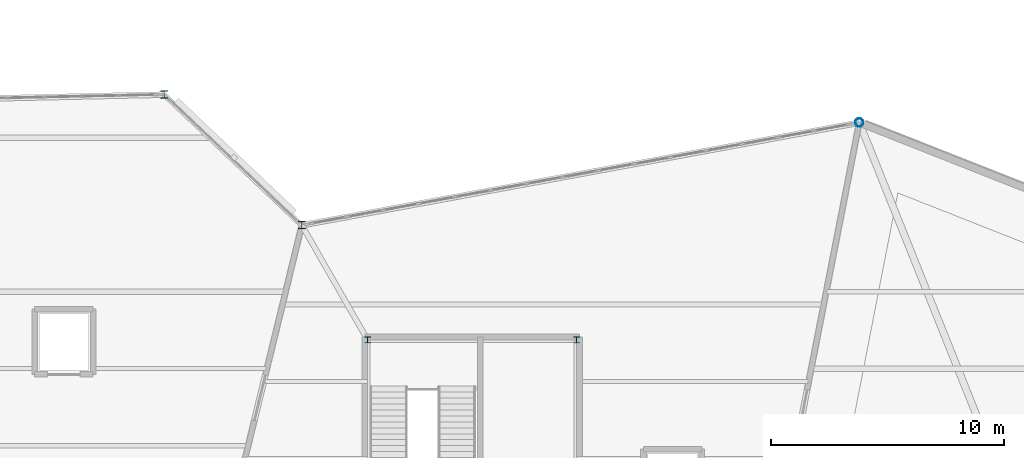
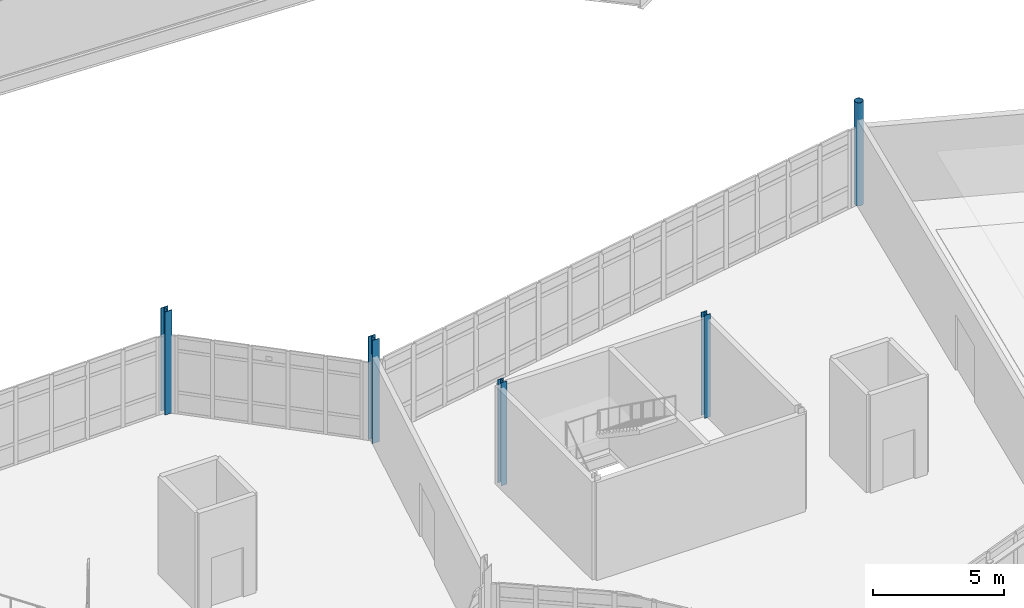
# One storey, part 8 of 114: 5 columns.
"""IFC4 building model written with IfcOpenShell, lengths in metres."""

from ifc_helpers import new_model, si_unit, direction, frame, origin, origin_2d, place, context, subcontext, project, spatial, hollow_circle, i_section, extrude, material, material_profile, profile_set, type_object, element, save


model = new_model("IFC4")

# Units and contexts
model_context = context("Model", 3, precision=1e-05, world=origin(), true_north=direction((0.0, 1.0)))
body_context = subcontext(model_context, "Body", "Model", "MODEL_VIEW")
ifc_project = project(units=[si_unit("LENGTHUNIT", "METRE"), si_unit("AREAUNIT", "SQUARE_METRE"), si_unit("VOLUMEUNIT", "CUBIC_METRE"), si_unit("PLANEANGLEUNIT", "RADIAN"), si_unit("MASSUNIT", "GRAM", prefix="KILO")], contexts=[model_context])

# Site, building, storey
site_placement = place(None, origin())
site = spatial("IfcSite", under=ifc_project, at=site_placement, CompositionType="ELEMENT")
building_placement = place(site_placement, origin())
building = spatial("IfcBuilding", under=site, at=building_placement, Name="Tameran Prism Museum", CompositionType="ELEMENT")
storey_placement = place(building_placement, frame((0.0, 0.0, 10.199951171875)))
storey = spatial("IfcBuildingStorey", under=building, at=storey_placement, Name="L02", CompositionType="ELEMENT", Elevation=10.199951171875)

# Columns
ifc_material_1 = material(Name="Steel Grade C350L0 (350 MPa)", Category="steel")
ifc_material_profile_1 = material_profile(ifc_material_1, hollow_circle(Radius=0.177734375, WallThickness=0.0126953125, at=origin_2d()))
ifc_profile_set_1 = profile_set([ifc_material_profile_1])
column_type_1 = type_object("IfcColumnType", Name="COL-CHS355", PredefinedType="COLUMN", material=ifc_profile_set_1)
column_placement = place(storey_placement, frame((125.60009765625, 47.39990234375, 0.0), z_axis=(0.0, 0.0, 1.0), x_axis=(1.0, 0.0, 0.0)))
element("IfcColumn", 1, at=column_placement, inside=storey, type_object=column_type_1, Name="Column CV-50 L02", PredefinedType="COLUMN", context=body_context, shape_type="SweptSolid", body=[
    extrude(hollow_circle(Radius=0.177734375, WallThickness=0.0126953125, at=origin_2d()), origin(), (0.0, 0.0, 1.0), 4.800048828125),
])
ifc_material_2 = material(Name="Steel Grade 300PLUS (300 MPa)", Category="steel")
ifc_material_profile_2 = material_profile(ifc_material_2, i_section(OverallWidth=0.25390625, OverallDepth=0.25390625, WebThickness=0.008544921875, FlangeThickness=0.01416015625, FilletRadius=0.0126953125, at=origin_2d()))
ifc_profile_set_2 = profile_set([ifc_material_profile_2])
column_type_2 = type_object("IfcColumnType", Name="COL-UC250B", PredefinedType="COLUMN", material=ifc_profile_set_2)
for number, where, z_axis, x_axis, name in (
    (2, (113.47998046875, 38.080078125, 0.0), (0.0, 0.0, 1.0), (1.0, 0.0, 0.0), "Column CC-4-3 L02"),
    (3, (104.52001953125, 38.080078125, 0.0), (0.0, 0.0, 1.0), (1.0, 0.0, 0.0), "Column CC-4-4 L02"),
):
    element("IfcColumn", number, at=place(storey_placement, frame(where, z_axis=z_axis, x_axis=x_axis)), inside=storey, type_object=column_type_2, Name=name, PredefinedType="COLUMN", context=body_context, shape_type="SweptSolid", body=[
        extrude(i_section(OverallWidth=0.25390625, OverallDepth=0.25390625, WebThickness=0.008544921875, FlangeThickness=0.01416015625, FilletRadius=0.0126953125, at=origin_2d()), origin(), (0.0, 0.0, 1.0), 4.800048828125),
    ])
ifc_material_3 = material(Name="Steel Grade 350 (350 MPa)", Category="steel")
ifc_material_profile_3 = material_profile(ifc_material_3, i_section(OverallWidth=0.31103515625, OverallDepth=0.326904296875, WebThickness=0.015625, FlangeThickness=0.02490234375, FilletRadius=0.0166015625, at=origin_2d()))
ifc_profile_set_3 = profile_set([ifc_material_profile_3])
column_type_3 = type_object("IfcColumnType", Name="COL-UC310A", PredefinedType="COLUMN", material=ifc_profile_set_3)
for number, where, z_axis, x_axis, name in (
    (4, (95.800048828125, 48.60009765625, 0.0), (0.0, 0.0, 1.0), (1.0, 0.0, 0.0), "Column CV-38 L02"),
    (5, (101.699951171875, 43.0, 0.0), (0.0, 0.0, 1.0), (1.0, 0.0, 0.0), "Column CV-41 L02"),
):
    element("IfcColumn", number, at=place(storey_placement, frame(where, z_axis=z_axis, x_axis=x_axis)), inside=storey, type_object=column_type_3, Name=name, PredefinedType="COLUMN", context=body_context, shape_type="SweptSolid", body=[
        extrude(i_section(OverallWidth=0.31103515625, OverallDepth=0.326904296875, WebThickness=0.015625, FlangeThickness=0.02490234375, FilletRadius=0.0166015625, at=origin_2d()), origin(), (0.0, 0.0, 1.0), 4.800048828125),
    ])

save(model, "model.ifc")
